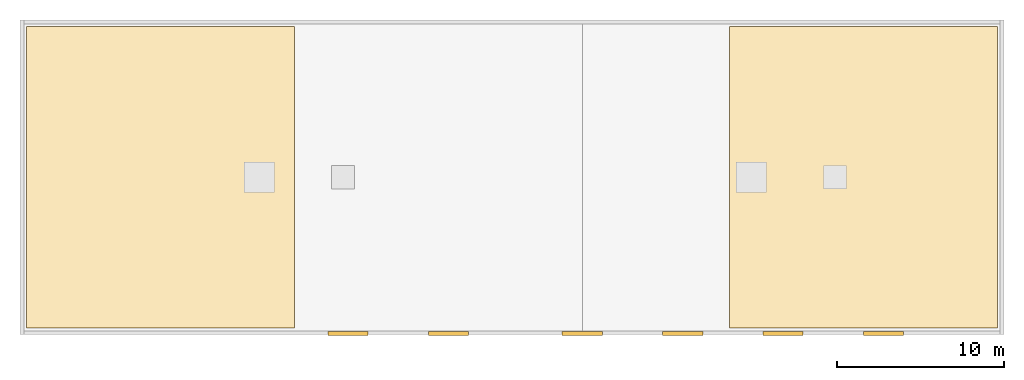
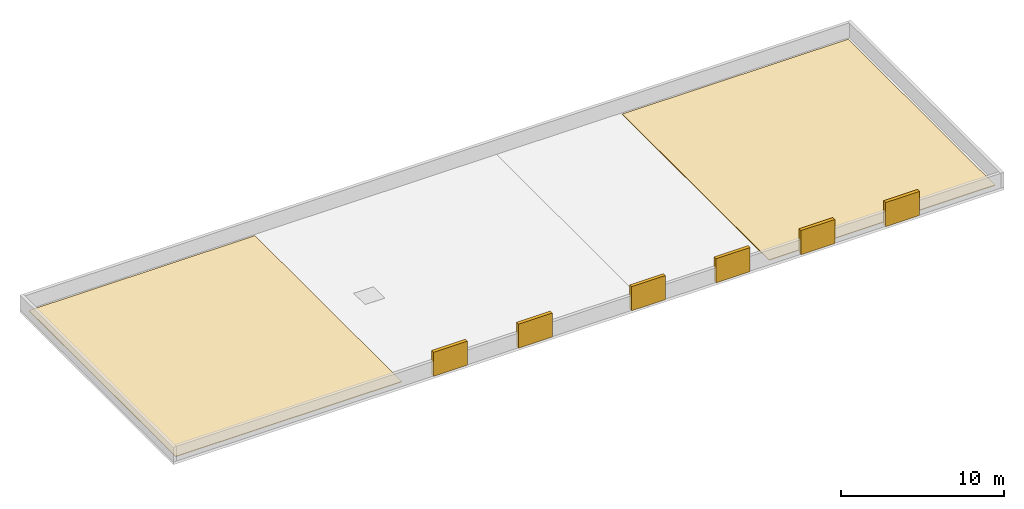
# One storey, part 2 of 2: 6 shading devices, 2 coverings.
"""IFC4 building model written with IfcOpenShell, lengths in metres."""

from ifc_helpers import new_model, si_unit, direction, frame, origin, origin_2d, place, context, subcontext, project, spatial, polyline, rectangle, outline, extrude, material, layer, layer_set, type_object, element, save


model = new_model("IFC4")

# Units and contexts
model_context = context("Model", 3, precision=1e-05, world=origin(), true_north=direction((0.0, 1.0)))
body_context = subcontext(model_context, "Body", "Model", "MODEL_VIEW")
ifc_project = project(units=[si_unit("LENGTHUNIT", "METRE"), si_unit("AREAUNIT", "SQUARE_METRE"), si_unit("VOLUMEUNIT", "CUBIC_METRE"), si_unit("PLANEANGLEUNIT", "RADIAN"), si_unit("MASSUNIT", "GRAM", prefix="KILO")], contexts=[model_context])

# Site, building, storey
site_placement = place(None, origin())
site = spatial("IfcSite", under=ifc_project, at=site_placement, CompositionType="ELEMENT")
building_placement = place(site_placement, origin())
building = spatial("IfcBuilding", under=site, at=building_placement, Name="Kenerak Square Central Library", CompositionType="ELEMENT")
storey_placement = place(building_placement, frame((0.0, 0.0, 32.320068359375)))
storey = spatial("IfcBuildingStorey", under=building, at=storey_placement, Name="RF", CompositionType="ELEMENT", Elevation=32.320068359375)

# Coverings
ifc_material_1 = material(Name="Standing-seam zinc and rigid insulation", Category="steel")
ifc_layer = layer(ifc_material_1, 0.050048828125)
ifc_layer_set = layer_set([ifc_layer], Name="Standing-seam zinc and rigid insulation")
covering_type = type_object("IfcCoveringType", Name="Insulated Waterproofed Roof Membrane CV-ROOF", PredefinedType="ROOFING", material=ifc_layer_set)
covering_1_placement = place(storey_placement, origin())
element("IfcCovering", 1, at=covering_1_placement, inside=storey, type_object=covering_type, Name="Waterproofed Roof Membrane RF 01", PredefinedType="ROOFING", context=body_context, shape_type="SweptSolid", body=[
    extrude(outline(polyline([(58.800048828125, 92.0), (74.800048828125, 92.0), (74.800048828125, 110.0), (58.800048828125, 110.0), (58.800048828125, 92.0)])), origin(), (0.0, 0.0, 1.0), 0.050048828125),
])
covering_2_placement = place(storey_placement, origin())
element("IfcCovering", 2, at=covering_2_placement, inside=storey, type_object=covering_type, Name="Waterproofed Roof Membrane RF 02", PredefinedType="ROOFING", context=body_context, shape_type="SweptSolid", body=[
    extrude(outline(polyline([(100.800048828125, 92.0), (116.800048828125, 92.0), (116.800048828125, 110.0), (100.800048828125, 110.0), (100.800048828125, 92.0)])), origin(), (0.0, 0.0, 1.0), 0.050048828125),
])

# Shading devices
ifc_material_2 = material(Name="Anodised aluminium 6063-T6", Category="aluminium")
shading_device_type = type_object("IfcShadingDeviceType", Name="Plant Room Weatherproof Louvre Screen JAL-01", PredefinedType="JALOUSIE", material=ifc_material_2)
for number, where, z_axis, x_axis, name in (
    (3, (78.0, 91.679931640625, 0.0), (0.0, 0.0, 1.0), (1.0, 0.0, 0.0), "Roof Smoke-Exhaust Louvre Screen LVR-01 01"),
    (4, (84.0, 91.679931640625, 0.0), (0.0, 0.0, 1.0), (1.0, 0.0, 0.0), "Roof Smoke-Exhaust Louvre Screen LVR-01 02"),
    (5, (92.0, 91.679931640625, 0.0), (0.0, 0.0, 1.0), (1.0, 0.0, 0.0), "Roof Smoke-Exhaust Louvre Screen LVR-01 03"),
    (6, (98.0, 91.679931640625, 0.0), (0.0, 0.0, 1.0), (1.0, 0.0, 0.0), "Roof Smoke-Exhaust Louvre Screen LVR-01 04"),
    (7, (104.0, 91.679931640625, 0.0), (0.0, 0.0, 1.0), (1.0, 0.0, 0.0), "Roof Smoke-Exhaust Louvre Screen LVR-01 05"),
    (8, (110.0, 91.679931640625, 0.0), (0.0, 0.0, 1.0), (1.0, 0.0, 0.0), "Roof Smoke-Exhaust Louvre Screen LVR-01 06"),
):
    element("IfcShadingDevice", number, at=place(storey_placement, frame(where, z_axis=z_axis, x_axis=x_axis)), inside=storey, type_object=shading_device_type, Name=name, PredefinedType="JALOUSIE", context=body_context, shape_type="SweptSolid", body=[
        extrude(rectangle(XDim=2.39990234375, YDim=0.239990234375, at=origin_2d()), origin(), (0.0, 0.0, 1.0), 1.800048828125),
    ])

save(model, "model.ifc")
